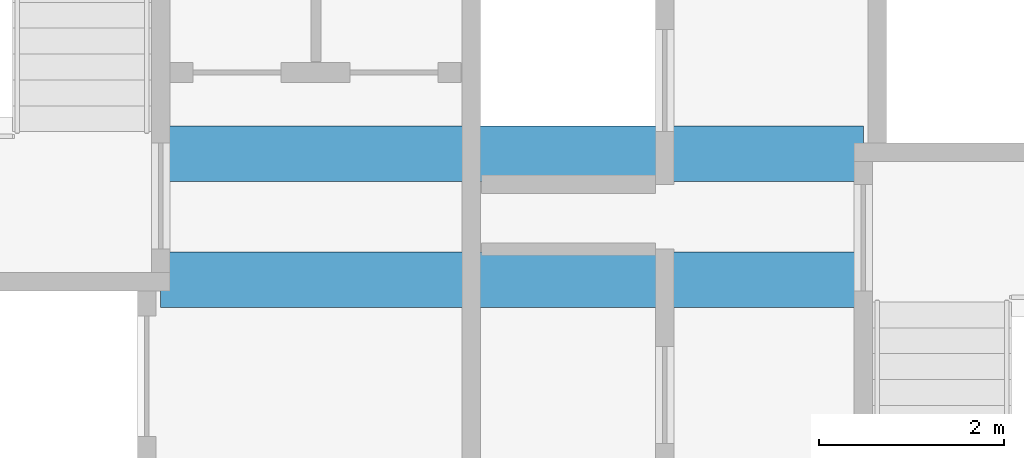
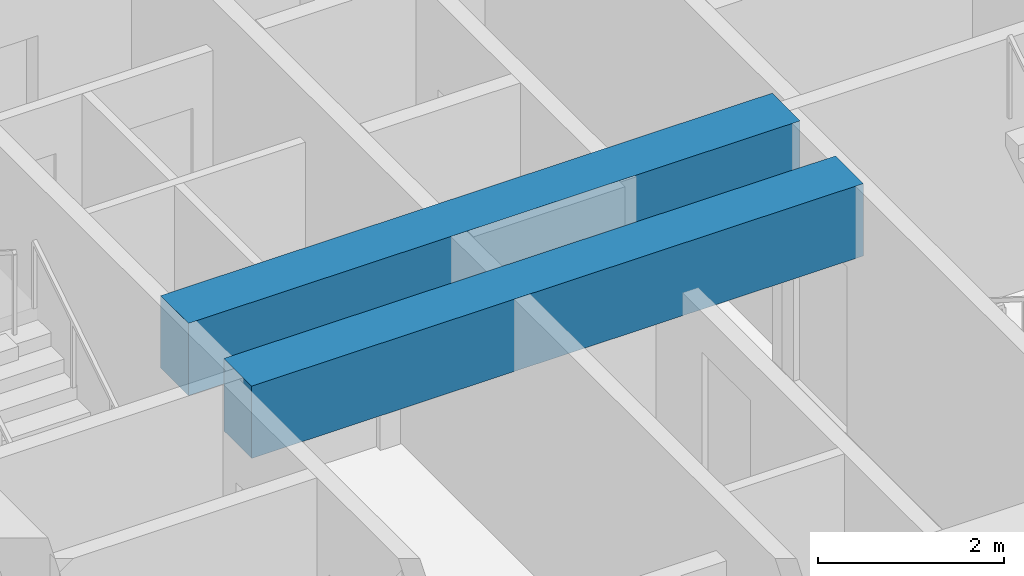
# One storey, part 8 of 43: 2 beams.
"""IFC4 building model written with IfcOpenShell, lengths in metres."""

from ifc_helpers import new_model, si_unit, direction, frame, origin, origin_2d, place, context, subcontext, project, spatial, rectangle, extrude, material, material_profile, profile_set, type_object, element, save


model = new_model("IFC4")

# Units and contexts
model_context = context("Model", 3, precision=1e-05, world=origin(), true_north=direction((0.0, 1.0)))
body_context = subcontext(model_context, "Body", "Model", "MODEL_VIEW")
ifc_project = project(units=[si_unit("LENGTHUNIT", "METRE"), si_unit("AREAUNIT", "SQUARE_METRE"), si_unit("VOLUMEUNIT", "CUBIC_METRE"), si_unit("PLANEANGLEUNIT", "RADIAN"), si_unit("MASSUNIT", "GRAM", prefix="KILO")], contexts=[model_context])

# Site, building, storey
site_placement = place(None, origin())
site = spatial("IfcSite", under=ifc_project, at=site_placement, CompositionType="ELEMENT")
building_placement = place(site_placement, origin())
building = spatial("IfcBuilding", under=site, at=building_placement, Name="Tashvorn Skyway Center", CompositionType="ELEMENT")
storey_placement = place(building_placement, frame((0.0, 0.0, 188.949951171875)))
storey = spatial("IfcBuildingStorey", under=building, at=storey_placement, Name="L51", CompositionType="ELEMENT", Elevation=188.949951171875)

# Beams
ifc_material = material(Name="Concrete C60/75", Category="concrete")
ifc_material_profile = material_profile(ifc_material, rectangle(XDim=0.60009765625, YDim=0.949951171875, at=origin_2d()), Name="RCB600x950")
ifc_profile_set = profile_set([ifc_material_profile], Name="Concrete C60/75")
beam_type = type_object("IfcBeamType", Name="BM-LINTEL-RCB600x950", PredefinedType="LINTEL", material=ifc_profile_set)
for number, where, z_axis, x_axis, name in (
    (1, (38.199951171875, 32.679931640625, 2.89501953125), (1.0, 0.0, 0.0), (0.0, 1.0, 0.0), "Tower 1 L51 Core Coupling Beam CN"),
    (2, (38.199951171875, 31.320068359375, 2.89501953125), (1.0, 0.0, 0.0), (0.0, 1.0, 0.0), "Tower 1 L51 Core Coupling Beam CS"),
):
    element("IfcBeam", number, at=place(storey_placement, frame(where, z_axis=z_axis, x_axis=x_axis)), inside=storey, type_object=beam_type, Name=name, PredefinedType="LINTEL", context=body_context, shape_type="SweptSolid", body=[
        extrude(rectangle(XDim=0.60009765625, YDim=0.949951171875, at=origin_2d()), origin(), (0.0, 0.0, 1.0), 7.60009765625),
    ])

save(model, "model.ifc")
